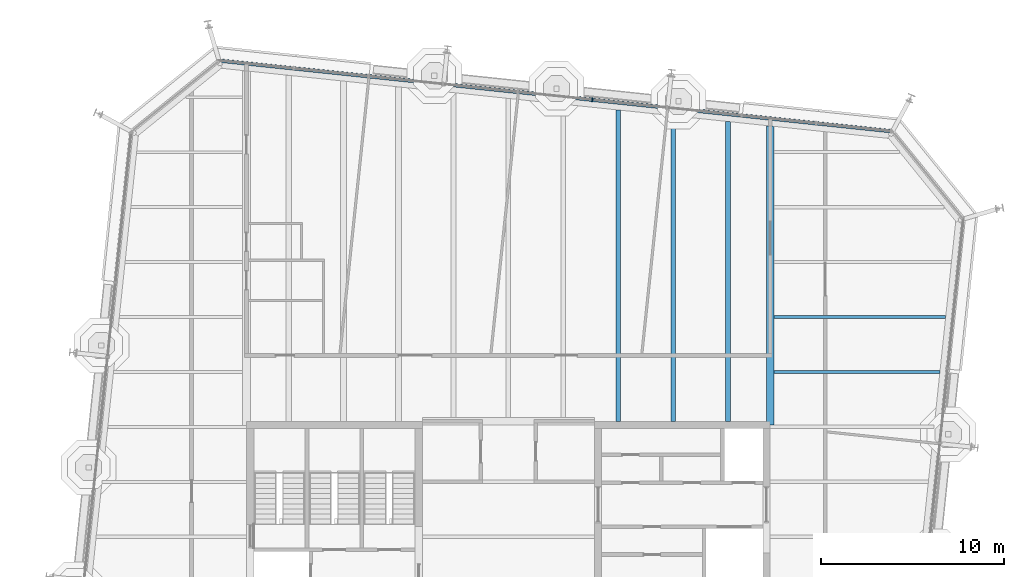
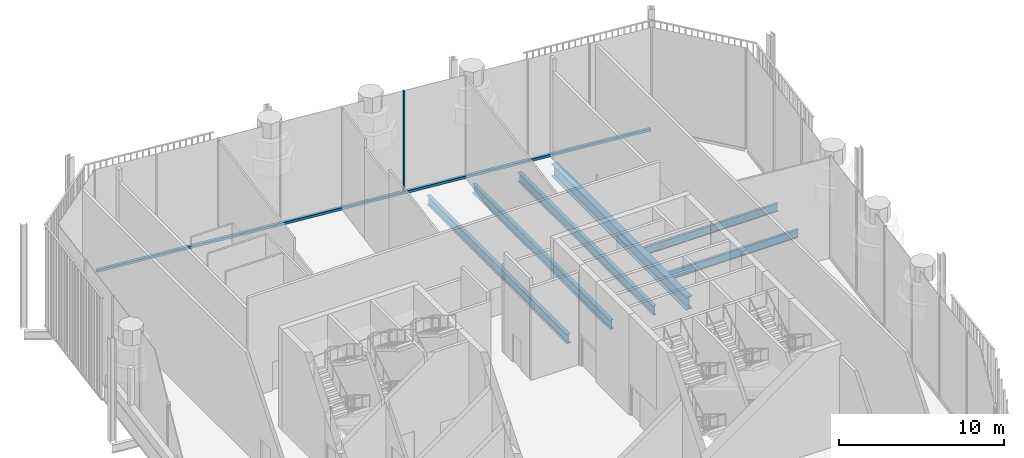
# One storey, part 7 of 17: 6 beams, 2 members, 1 element without a shape of its own.
"""IFC4 building model written with IfcOpenShell, lengths in metres."""

from ifc_helpers import new_model, si_unit, direction, frame, origin, origin_2d, place, context, subcontext, project, spatial, rectangle, i_section, extrude, material, layer, layer_set, material_profile, profile_set, type_object, element, aggregate, save


model = new_model("IFC4")

# Units and contexts
model_context = context("Model", 3, precision=1e-05, world=origin(), true_north=direction((0.0, 1.0)))
body_context = subcontext(model_context, "Body", "Model", "MODEL_VIEW")
ifc_project = project(units=[si_unit("LENGTHUNIT", "METRE"), si_unit("AREAUNIT", "SQUARE_METRE"), si_unit("VOLUMEUNIT", "CUBIC_METRE"), si_unit("PLANEANGLEUNIT", "RADIAN"), si_unit("MASSUNIT", "GRAM", prefix="KILO")], contexts=[model_context])

# Site, building, storey
site_placement = place(None, origin())
site = spatial("IfcSite", under=ifc_project, at=site_placement, CompositionType="ELEMENT")
building_placement = place(site_placement, origin())
building = spatial("IfcBuilding", under=site, at=building_placement, Name="Millrace Tower", CompositionType="ELEMENT")
storey_placement = place(building_placement, frame((0.0, 0.0, 311.10009765625)))
storey = spatial("IfcBuildingStorey", under=building, at=storey_placement, Name="L72", CompositionType="ELEMENT", Elevation=311.10009765625)

# Curtain wall, members
ifc_material_1 = material(Name="Aluminium and glass", Category="aluminium")
ifc_layer = layer(ifc_material_1, 0.199951171875)
ifc_layer_set = layer_set([ifc_layer], Name="Aluminium and glass")
curtain_wall_type = type_object("IfcCurtainWallType", Name="CW-4 sky garden winter glazing", PredefinedType="NOTDEFINED", material=ifc_layer_set)
curtain_wall_placement = place(storey_placement, origin())
curtain_wall = element("IfcCurtainWall", 1, at=curtain_wall_placement, inside=storey, type_object=curtain_wall_type, Name="Curtain wall E-F06 L72", PredefinedType="NOTDEFINED")
ifc_material_2 = material(Name="Aluminium", Category="aluminium")
ifc_material_profile_1 = material_profile(ifc_material_2, rectangle(XDim=0.080078125, YDim=0.199951171875, at=origin_2d()))
ifc_profile_set_1 = profile_set([ifc_material_profile_1], Name="Aluminium")
member_type_1 = type_object("IfcMemberType", Name="CW-4 sky garden winter glazing mullion", PredefinedType="MULLION", material=ifc_profile_set_1)
member_1_placement = place(storey_placement, frame((4.58740234375, 26.86474609375, 0.179931640625), z_axis=(0.0, 0.0, 1.0), x_axis=(-0.994521896217, 0.104528455196, 0.0)))
member_1 = element("IfcMember", 2, at=member_1_placement, type_object=member_type_1, Name="CW4 mullion E-F06.5", PredefinedType="MULLION", context=body_context, shape_type="SweptSolid", body=[
    extrude(rectangle(XDim=0.080078125, YDim=0.199951171875, at=origin_2d()), origin(), (0.0, 0.0, 1.0), 7.419921875),
])
ifc_material_3 = material(Name="Aluminium", Category="aluminium")
ifc_material_profile_2 = material_profile(ifc_material_3, rectangle(XDim=0.199951171875, YDim=0.179931640625, at=origin_2d()))
ifc_profile_set_2 = profile_set([ifc_material_profile_2], Name="Aluminium")
member_type_2 = type_object("IfcMemberType", Name="CW-4 sky garden winter glazing transom", PredefinedType="USERDEFINED", material=ifc_profile_set_2)
member_2_placement = place(storey_placement, frame((20.837890625, 25.15673828125, 0.08984375), z_axis=(-0.994521880201, 0.104528607573, 0.0), x_axis=(-0.104528607573, -0.994521880201, 0.0)))
member_2 = element("IfcMember", 3, at=member_2_placement, type_object=member_type_2, Name="CW4 transom E-F06.1", ObjectType="TRANSOM", PredefinedType="USERDEFINED", context=body_context, shape_type="SweptSolid", body=[
    extrude(rectangle(XDim=0.199951171875, YDim=0.179931640625, at=origin_2d()), origin(), (0.0, 0.0, 1.0), 36.69970703125),
])
aggregate(curtain_wall, [member_1, member_2])

# Beams
ifc_material_4 = material(Name="Steel ASTM A992 Grade 50", Category="steel")
ifc_material_profile_3 = material_profile(ifc_material_4, i_section(OverallWidth=0.177978515625, OverallDepth=0.599365234375, WebThickness=0.010009765625, FlangeThickness=0.012939453125, FilletRadius=0.012939453125, at=origin_2d()))
ifc_profile_set_3 = profile_set([ifc_material_profile_3], Name="Steel ASTM A992 Grade 50")
beam_type_1 = type_object("IfcBeamType", Name="Floor beam W24x55", PredefinedType="JOIST", material=ifc_profile_set_3)
beam_1_placement = place(storey_placement, frame((14.509521484375, 12.0, -0.5498046875), z_axis=(1.0, 0.0, 0.0), x_axis=(0.0, 1.0, 0.0)))
element("IfcBeam", 4, at=beam_1_placement, inside=storey, type_object=beam_type_1, Name="BM-E-L72-S1-S026", PredefinedType="JOIST", context=body_context, shape_type="SweptSolid", body=[
    extrude(i_section(OverallWidth=0.177978515625, OverallDepth=0.599365234375, WebThickness=0.010009765625, FlangeThickness=0.012939453125, FilletRadius=0.012939453125, at=origin_2d()), origin(), (0.0, 0.0, 1.0), 9.060791015625),
])
beam_2_placement = place(storey_placement, frame((14.509521484375, 15.0, -0.5498046875), z_axis=(1.0, 0.0, 0.0), x_axis=(0.0, 1.0, 0.0)))
element("IfcBeam", 5, at=beam_2_placement, inside=storey, type_object=beam_type_1, Name="BM-E-L72-S1-S028", PredefinedType="JOIST", context=body_context, shape_type="SweptSolid", body=[
    extrude(i_section(OverallWidth=0.177978515625, OverallDepth=0.599365234375, WebThickness=0.010009765625, FlangeThickness=0.012939453125, FilletRadius=0.012939453125, at=origin_2d()), origin(), (0.0, 0.0, 1.0), 9.376220703125),
])
ifc_material_5 = material(Name="Steel ASTM A992 Grade 50", Category="steel")
ifc_material_profile_4 = material_profile(ifc_material_5, i_section(OverallWidth=0.256591796875, OverallDepth=0.693359375, WebThickness=0.014404296875, FlangeThickness=0.023681640625, FilletRadius=0.01513671875, at=origin_2d()))
ifc_profile_set_4 = profile_set([ifc_material_profile_4], Name="Steel ASTM A992 Grade 50")
beam_type_2 = type_object("IfcBeamType", Name="Floor beam W27x114", PredefinedType="JOIST", material=ifc_profile_set_4)
beam_3_placement = place(storey_placement, frame((6.0, 9.300048828125, -0.596923828125), z_axis=(0.0, 1.0, 0.0), x_axis=(-1.0, 0.0, 0.0)))
element("IfcBeam", 6, at=beam_3_placement, inside=storey, type_object=beam_type_2, Name="BM-E-L72-S1-S048", PredefinedType="JOIST", context=body_context, shape_type="SweptSolid", body=[
    extrude(i_section(OverallWidth=0.256591796875, OverallDepth=0.693359375, WebThickness=0.014404296875, FlangeThickness=0.023681640625, FilletRadius=0.01513671875, at=origin_2d()), origin(), (0.0, 0.0, 1.0), 17.006591796875),
])
beam_4_placement = place(storey_placement, frame((9.0, 9.300048828125, -0.596923828125), z_axis=(0.0, 1.0, 0.0), x_axis=(-1.0, 0.0, 0.0)))
element("IfcBeam", 7, at=beam_4_placement, inside=storey, type_object=beam_type_2, Name="BM-E-L72-S1-S050", PredefinedType="JOIST", context=body_context, shape_type="SweptSolid", body=[
    extrude(i_section(OverallWidth=0.256591796875, OverallDepth=0.693359375, WebThickness=0.014404296875, FlangeThickness=0.023681640625, FilletRadius=0.01513671875, at=origin_2d()), origin(), (0.0, 0.0, 1.0), 16.69140625),
])
beam_5_placement = place(storey_placement, frame((12.0, 9.300048828125, -0.596923828125), z_axis=(0.0, 1.0, 0.0), x_axis=(-1.0, 0.0, 0.0)))
element("IfcBeam", 8, at=beam_5_placement, inside=storey, type_object=beam_type_2, Name="BM-E-L72-S1-S052", PredefinedType="JOIST", context=body_context, shape_type="SweptSolid", body=[
    extrude(i_section(OverallWidth=0.256591796875, OverallDepth=0.693359375, WebThickness=0.014404296875, FlangeThickness=0.023681640625, FilletRadius=0.01513671875, at=origin_2d()), origin(), (0.0, 0.0, 1.0), 16.3759765625),
])
ifc_material_6 = material(Name="Steel ASTM A992 Grade 50", Category="steel")
ifc_material_profile_5 = material_profile(ifc_material_6, i_section(OverallWidth=0.424072265625, OverallDepth=0.947509765625, WebThickness=0.02392578125, FlangeThickness=0.042724609375, FilletRadius=0.024169921875, at=origin_2d()))
ifc_profile_set_5 = profile_set([ifc_material_profile_5], Name="Steel ASTM A992 Grade 50")
beam_type_3 = type_object("IfcBeamType", Name="Girder medium span W36x302", PredefinedType="BEAM", material=ifc_profile_set_5)
beam_6_placement = place(storey_placement, frame((14.300048828125, 9.092041015625, -0.723876953125), z_axis=(0.0, 1.0, 0.0), x_axis=(-1.0, 0.0, 0.0)))
element("IfcBeam", 9, at=beam_6_placement, inside=storey, type_object=beam_type_3, Name="BM-E-L72-S1-G056", PredefinedType="BEAM", context=body_context, shape_type="SweptSolid", body=[
    extrude(i_section(OverallWidth=0.424072265625, OverallDepth=0.947509765625, WebThickness=0.02392578125, FlangeThickness=0.042724609375, FilletRadius=0.024169921875, at=origin_2d()), origin(), (0.0, 0.0, 1.0), 16.34228515625),
])

save(model, "model.ifc")
